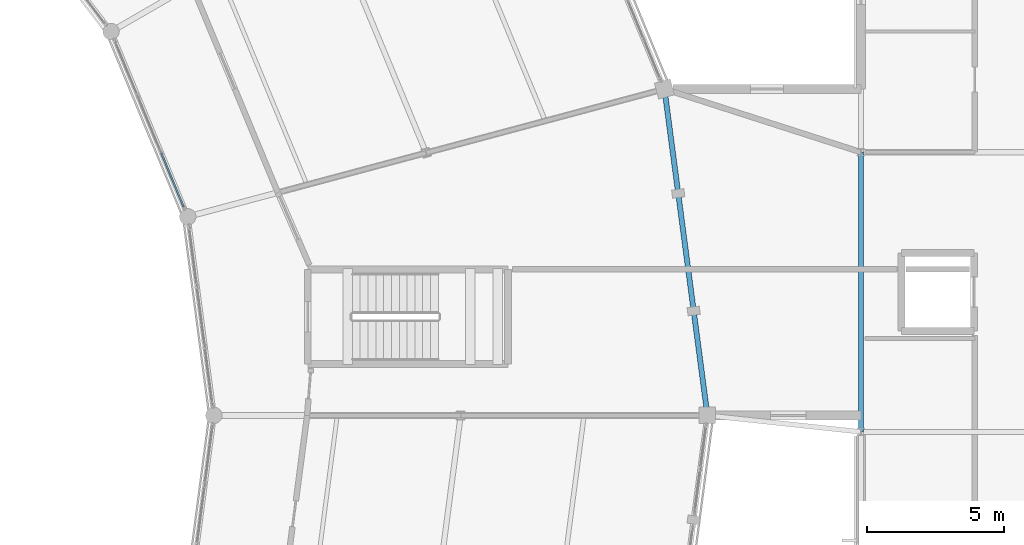
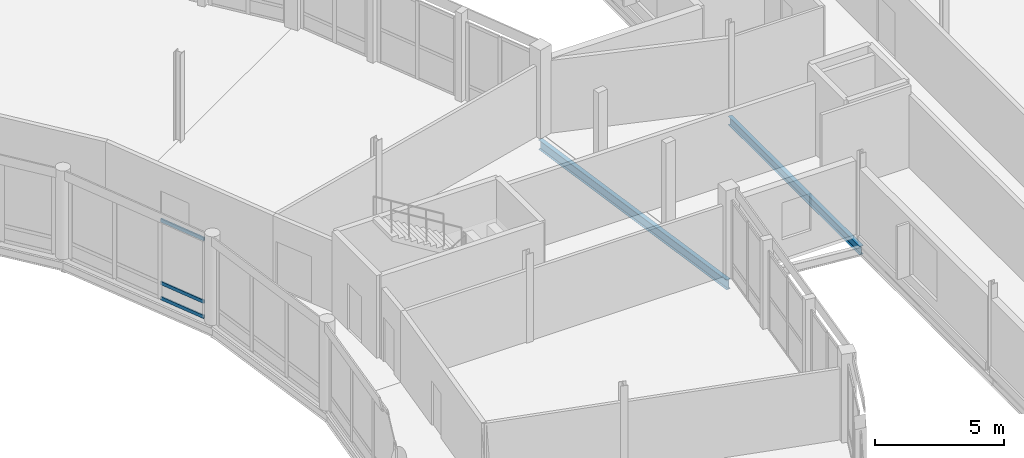
# One storey, part 109 of 170: 3 members, 2 beams, 1 element without a shape of its own.
"""IFC4 building model written with IfcOpenShell, lengths in metres."""

from ifc_helpers import new_model, si_unit, direction, frame, origin, origin_2d, place, context, subcontext, project, spatial, hollow_rectangle, i_section, extrude, material, material_profile, profile_set, type_object, element, aggregate, save


model = new_model("IFC4")

# Units and contexts
model_context = context("Model", 3, precision=1e-05, world=origin(), true_north=direction((0.0, 1.0)))
body_context = subcontext(model_context, "Body", "Model", "MODEL_VIEW")
ifc_project = project(units=[si_unit("LENGTHUNIT", "METRE"), si_unit("AREAUNIT", "SQUARE_METRE"), si_unit("VOLUMEUNIT", "CUBIC_METRE"), si_unit("PLANEANGLEUNIT", "RADIAN"), si_unit("MASSUNIT", "GRAM", prefix="KILO")], contexts=[model_context])

# Site, building, storey
site_placement = place(None, origin())
site = spatial("IfcSite", under=ifc_project, at=site_placement, CompositionType="ELEMENT")
building_placement = place(site_placement, origin())
building = spatial("IfcBuilding", under=site, at=building_placement, Name="Vondelvale Polytechnic", CompositionType="ELEMENT")
storey_placement = place(building_placement, frame((0.0, 0.0, 5.39990234375)))
storey = spatial("IfcBuildingStorey", under=building, at=storey_placement, Name="L01", CompositionType="ELEMENT", Elevation=5.39990234375)

# Beams
ifc_material_1 = material(Name="Steel 300PLUS (fy = 300 MPa)", Category="steel")
ifc_material_profile_1 = material_profile(ifc_material_1, i_section(OverallWidth=0.177978515625, OverallDepth=0.406005859375, WebThickness=0.0078125, FlangeThickness=0.0126953125, FilletRadius=0.011474609375, at=origin_2d()), Name="410UB59.7")
ifc_profile_set_1 = profile_set([ifc_material_profile_1], Name="Steel 300PLUS (fy = 300 MPa)")
beam_type_1 = type_object("IfcBeamType", Name="BM-UB410", PredefinedType="BEAM", material=ifc_profile_set_1)
beam_1_placement = place(storey_placement, frame((153.60009765625, 71.39990234375, -0.48291015625), z_axis=(0.0, 1.0, 0.0), x_axis=(-1.0, 0.0, 0.0)))
element("IfcBeam", 1, at=beam_1_placement, inside=storey, type_object=beam_type_1, Name="L01 B B-14", PredefinedType="BEAM", context=body_context, shape_type="SweptSolid", body=[
    extrude(i_section(OverallWidth=0.177978515625, OverallDepth=0.406005859375, WebThickness=0.0078125, FlangeThickness=0.0126953125, FilletRadius=0.011474609375, at=origin_2d()), origin(), (0.0, 0.0, 1.0), 10.2001953125),
])
ifc_material_profile_2 = material_profile(ifc_material_1, i_section(OverallWidth=0.18994140625, OverallDepth=0.45703125, WebThickness=0.009033203125, FlangeThickness=0.014404296875, FilletRadius=0.011474609375, at=origin_2d()), Name="460UB74.6")
ifc_profile_set_2 = profile_set([ifc_material_profile_2], Name="Steel 300PLUS (fy = 300 MPa)")
beam_type_2 = type_object("IfcBeamType", Name="BM-UB460", PredefinedType="BEAM", material=ifc_profile_set_2)
beam_2_placement = place(storey_placement, frame((148.0, 72.0, -0.50830078125), z_axis=(-0.130522880875, 0.991445297315, 0.0), x_axis=(-0.991445297315, -0.130522880875, 0.0)))
element("IfcBeam", 2, at=beam_2_placement, inside=storey, type_object=beam_type_2, Name="L01 RB B-13", PredefinedType="BEAM", context=body_context, shape_type="SweptSolid", body=[
    extrude(i_section(OverallWidth=0.18994140625, OverallDepth=0.45703125, WebThickness=0.009033203125, FlangeThickness=0.014404296875, FilletRadius=0.011474609375, at=origin_2d()), origin(), (0.0, 0.0, 1.0), 12.008544921875),
])

# Curtain wall, members
ifc_material_2 = material(Name="Anodised extruded aluminium 6063-T6", Category="aluminium")
curtain_wall_type = type_object("IfcCurtainWallType", Name="CW-RING-CLOISTER", PredefinedType="NOTDEFINED", material=ifc_material_2)
curtain_wall_placement = place(storey_placement, origin())
curtain_wall = element("IfcCurtainWall", 3, at=curtain_wall_placement, inside=storey, type_object=curtain_wall_type, Name="L01 architectural curtain wall CW-03-077", PredefinedType="NOTDEFINED")
ifc_material_profile_3 = material_profile(ifc_material_2, hollow_rectangle(XDim=0.06494140625, YDim=0.159912109375, WallThickness=0.00341796875, at=origin_2d()), Name="CW-TRN-160x65")
ifc_profile_set_3 = profile_set([ifc_material_profile_3], Name="Anodised extruded aluminium 6063-T6")
member_type = type_object("IfcMemberType", Name="CW-TRN-70x160", PredefinedType="USERDEFINED", material=ifc_profile_set_3)
member_1_placement = place(storey_placement, frame((128.892822265625, 79.616455078125, 0.03271484375), z_axis=(-0.382726229306, 0.923861804277, 0.0), x_axis=(-0.923861804277, -0.382726229306, 0.0)))
member_1 = element("IfcMember", 4, at=member_1_placement, type_object=member_type, Name="CW-03-077 transom 1.1", ObjectType="TRANSOM", PredefinedType="USERDEFINED", context=body_context, shape_type="SweptSolid", body=[
    extrude(hollow_rectangle(XDim=0.06494140625, YDim=0.159912109375, WallThickness=0.00341796875, at=origin_2d()), origin(), (0.0, 0.0, 1.0), 2.111328125),
])
member_2_placement = place(storey_placement, frame((128.892822265625, 79.616455078125, 0.75), z_axis=(-0.382726229306, 0.923861804277, 0.0), x_axis=(-0.923861804277, -0.382726229306, 0.0)))
member_2 = element("IfcMember", 5, at=member_2_placement, type_object=member_type, Name="CW-03-077 transom 1.2", ObjectType="TRANSOM", PredefinedType="USERDEFINED", context=body_context, shape_type="SweptSolid", body=[
    extrude(hollow_rectangle(XDim=0.06494140625, YDim=0.159912109375, WallThickness=0.00341796875, at=origin_2d()), origin(), (0.0, 0.0, 1.0), 2.111328125),
])
member_3_placement = place(storey_placement, frame((128.892822265625, 79.616455078125, 3.717529296875), z_axis=(-0.382726229306, 0.923861804277, 0.0), x_axis=(-0.923861804277, -0.382726229306, 0.0)))
member_3 = element("IfcMember", 6, at=member_3_placement, type_object=member_type, Name="CW-03-077 transom 1.3", ObjectType="TRANSOM", PredefinedType="USERDEFINED", context=body_context, shape_type="SweptSolid", body=[
    extrude(hollow_rectangle(XDim=0.06494140625, YDim=0.159912109375, WallThickness=0.00341796875, at=origin_2d()), origin(), (0.0, 0.0, 1.0), 2.111328125),
])
aggregate(curtain_wall, [member_1, member_2, member_3])

save(model, "model.ifc")
